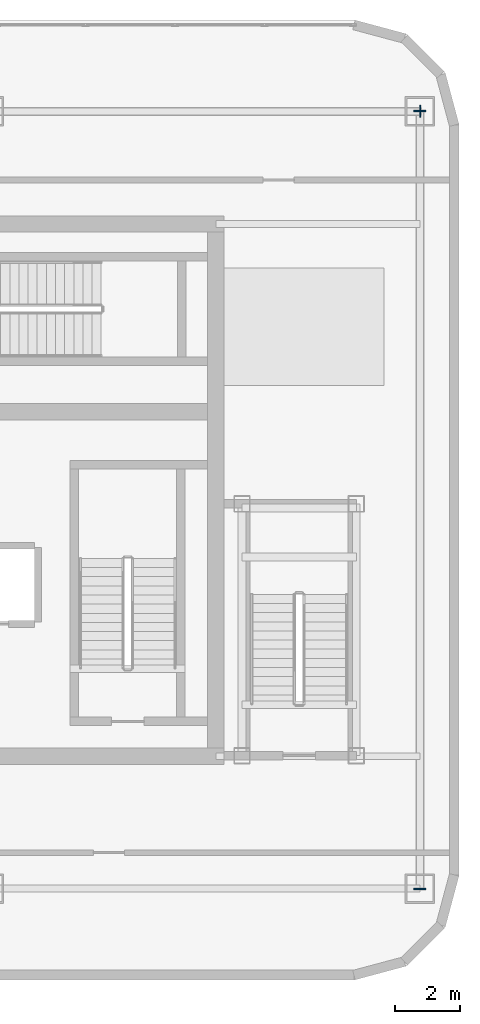
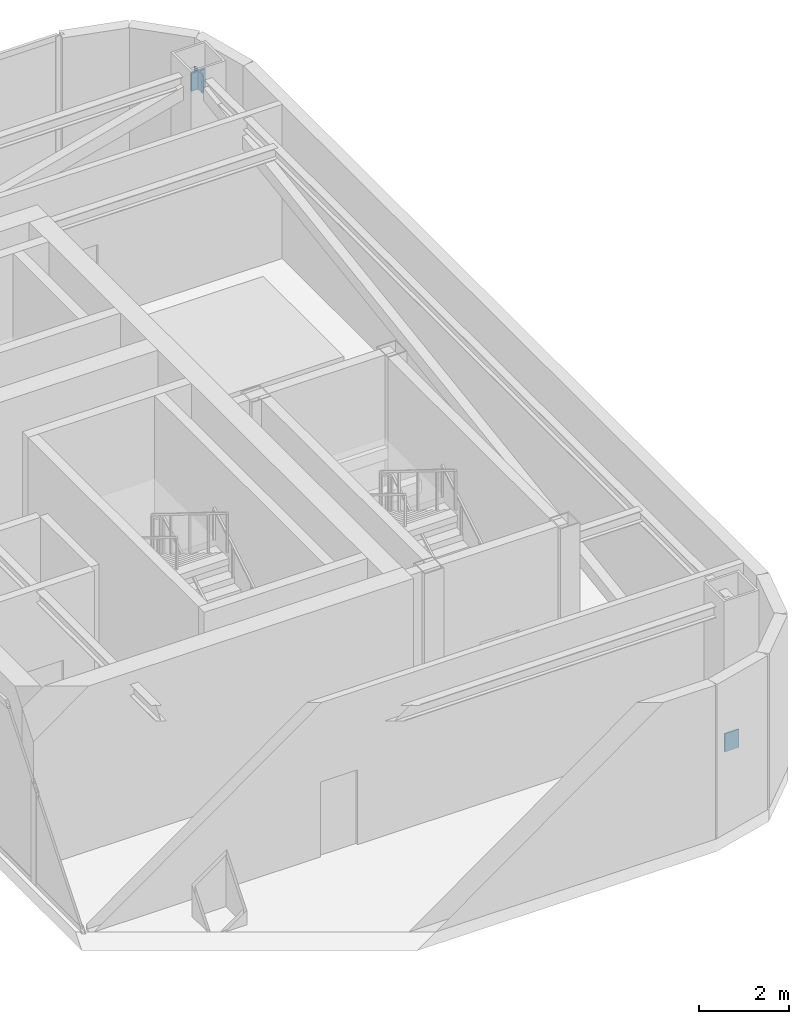
# One storey, part 10 of 13: 3 plates.
"""IFC4 building model written with IfcOpenShell, lengths in metres."""

from ifc_helpers import new_model, si_unit, direction, frame, origin, origin_2d, place, context, subcontext, project, spatial, rectangle, extrude, material, layer, layer_set, type_object, element, save


model = new_model("IFC4")

# Units and contexts
model_context = context("Model", 3, precision=1e-05, world=origin(), true_north=direction((0.0, 1.0)))
body_context = subcontext(model_context, "Body", "Model", "MODEL_VIEW")
ifc_project = project(units=[si_unit("LENGTHUNIT", "METRE"), si_unit("AREAUNIT", "SQUARE_METRE"), si_unit("VOLUMEUNIT", "CUBIC_METRE"), si_unit("PLANEANGLEUNIT", "RADIAN"), si_unit("MASSUNIT", "GRAM", prefix="KILO")], contexts=[model_context])

# Site, building, storey
site_placement = place(None, origin())
site = spatial("IfcSite", under=ifc_project, at=site_placement, CompositionType="ELEMENT")
building_placement = place(site_placement, origin())
building = spatial("IfcBuilding", under=site, at=building_placement, Name="Kiyonajd Concourse Tower", CompositionType="ELEMENT")
storey_placement = place(building_placement, frame((0.0, 0.0, 363.89990234375)))
storey = spatial("IfcBuildingStorey", under=building, at=storey_placement, Name="L91", CompositionType="ELEMENT", Elevation=363.89990234375)

# Plates
ifc_material = material(Name="Steel ASTM A572 Grade 50", Category="steel")
ifc_layer = layer(ifc_material, 0.028076171875)
ifc_layer_set = layer_set([ifc_layer], Name="Steel ASTM A572 Grade 50")
plate_type = type_object("IfcPlateType", Name="PL-CAP-450", PredefinedType="USERDEFINED", material=ifc_layer_set)
plate_placement = place(storey_placement, frame((69.610595703125, 47.60009765625, 3.60205078125), z_axis=(0.0, 0.0, 1.0), x_axis=(1.0, 0.0, 0.0)))
element("IfcPlate", 1, at=plate_placement, inside=storey, type_object=plate_type, Name="L91 Crown Wind Brace Cap", ObjectType="CAP PLATE", PredefinedType="USERDEFINED", context=body_context, shape_type="SweptSolid", body=[
    extrude(rectangle(XDim=0.035888671875, YDim=0.3701171875, at=origin_2d()), origin(), (0.0, 0.0, 1.0), 0.501953125),
])
for number, where, z_axis, x_axis, name in (
    (2, (69.60009765625, 23.7890625, 0.0517578125), (0.0, 0.0, 1.0), (0.0, -1.0, 0.0), "L91 Crown Wind Brace Cap"),
    (3, (69.60009765625, 47.61083984375, 3.60498046875), (0.0, 0.0, 1.0), (0.0, 1.0, 0.0), "L91 Crown Wind Brace Cap"),
):
    element("IfcPlate", number, at=place(storey_placement, frame(where, z_axis=z_axis, x_axis=x_axis)), inside=storey, type_object=plate_type, Name=name, ObjectType="CAP PLATE", PredefinedType="USERDEFINED", context=body_context, shape_type="SweptSolid", body=[
        extrude(rectangle(XDim=0.035888671875, YDim=0.3701171875, at=origin_2d()), origin(), (0.0, 0.0, 1.0), 0.493896484375),
    ])

save(model, "model.ifc")
